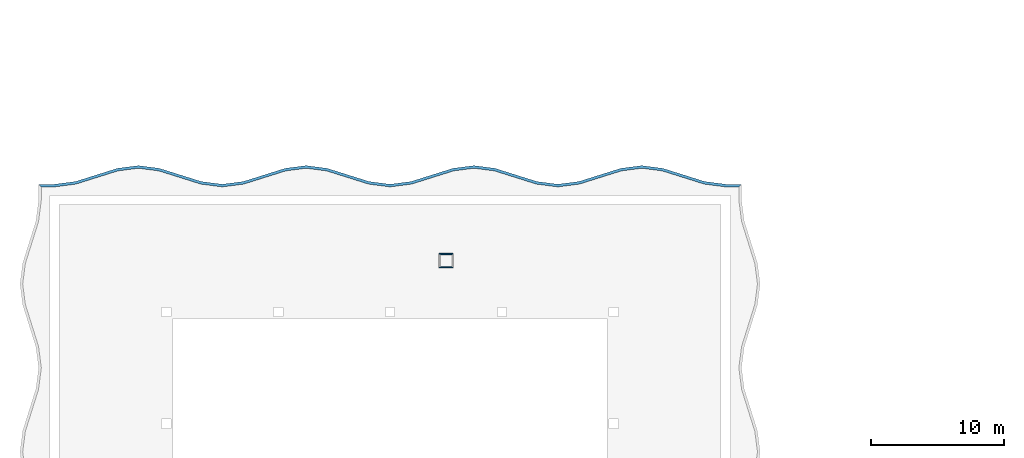
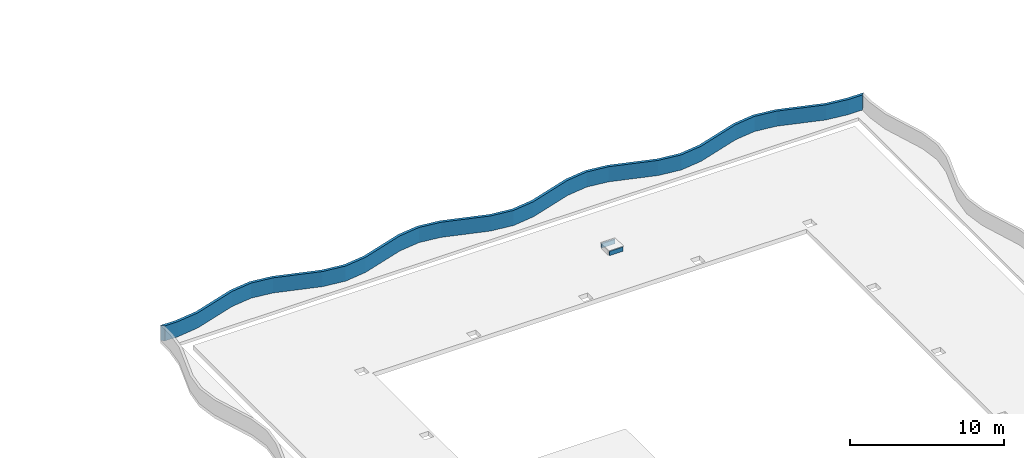
# One storey, part 20 of 111: 3 walls.
"""IFC4 building model written with IfcOpenShell, lengths in metres."""

import ifcopenshell
import ifcopenshell.guid

model = None  # the IFC model being written
_history = None  # IfcOwnerHistory: only IFC2X3 demands one
_inside = {}  # id of a spatial element -> (the spatial element, [elements in it])
_under = {}  # id of a project, library or spatial element -> (it, [spatial elements below it])
_declared = {}  # id of a project -> (the project, [libraries it declares])
_typed = {}  # id of a type object -> (the type object, [elements of that type])
_made_of = {}  # id of a material, layer set ... -> (it, [elements and type objects made of it])


def new_model(schema):
    """Start an empty IFC model of exactly this schema.

    Asked for "IFC4X3", IfcOpenShell would pick the latest addendum, in which some entities
    have other attributes; the version numbers below select the first issue.
    IFC2X3 requires an IfcOwnerHistory on every rooted entity: one is made here for all.
    """
    global model, _history
    if schema == "IFC4X3":
        model = ifcopenshell.file(schema_version=(4, 3, 0, 0))
    else:
        model = ifcopenshell.file(schema=schema)
    _inside.clear()
    _under.clear()
    _declared.clear()
    _typed.clear()
    _made_of.clear()
    _history = None
    if model.schema == "IFC2X3":
        org = make("IfcOrganization", Name="unknown")
        user = make(
            "IfcPersonAndOrganization",
            ThePerson=make("IfcPerson", FamilyName="unknown"),
            TheOrganization=org,
        )
        app = make(
            "IfcApplication",
            ApplicationDeveloper=org,
            Version="unknown",
            ApplicationFullName="unknown",
            ApplicationIdentifier="unknown",
        )
        _history = make(
            "IfcOwnerHistory",
            OwningUser=user,
            OwningApplication=app,
            ChangeAction="ADDED",
            CreationDate=0,
        )
    return model


def make(cls, **values):
    """One entity of the class cls with the attributes given. An attribute that is None is left unset."""
    return model.create_entity(
        cls, **{name: value for name, value in values.items() if value is not None}
    )


def rooted(cls, **values):
    """An entity with a GlobalId (a new one), such as an element, a storey or a relation."""
    return make(cls, GlobalId=ifcopenshell.guid.new(), OwnerHistory=_history, **values)


def si_unit(unit_type, name, prefix=None):
    """IfcSIUnit, for example si_unit("LENGTHUNIT", "METRE", prefix="MILLI")."""
    return make("IfcSIUnit", UnitType=unit_type, Prefix=prefix, Name=name)


def assignment(units):
    """IfcUnitAssignment: the units of a project."""
    return None if units is None else make("IfcUnitAssignment", Units=units)


def point(xyz):
    """IfcCartesianPoint."""
    return None if xyz is None else make("IfcCartesianPoint", Coordinates=xyz)


def direction(xyz):
    """IfcDirection."""
    return None if xyz is None else make("IfcDirection", DirectionRatios=xyz)


def frame(location, z_axis=None, x_axis=None):
    """IfcAxis2Placement3D, a coordinate frame: its origin and axes. An axis left out is left unset."""
    return make(
        "IfcAxis2Placement3D",
        Location=point(location),
        Axis=direction(z_axis),
        RefDirection=direction(x_axis),
    )


def frame_2d(location, x_axis=None):
    """IfcAxis2Placement2D, a coordinate frame in the plane: its origin and x axis."""
    return make(
        "IfcAxis2Placement2D", Location=point(location), RefDirection=direction(x_axis)
    )


def origin():
    """The frame at (0, 0, 0) with its axes left unset."""
    return frame((0.0, 0.0, 0.0))


def place(relative_to, where):
    """IfcLocalPlacement: puts the frame where relative to a parent placement (None: the world)."""
    return make(
        "IfcLocalPlacement", PlacementRelTo=relative_to, RelativePlacement=where
    )


def context(
    kind, dimensions, precision=None, world=None, true_north=None, identifier=None
):
    """IfcGeometricRepresentationContext, for example the 3D "Model" context."""
    return make(
        "IfcGeometricRepresentationContext",
        ContextIdentifier=identifier,
        ContextType=kind,
        CoordinateSpaceDimension=dimensions,
        Precision=precision,
        WorldCoordinateSystem=world,
        TrueNorth=true_north,
    )


def subcontext(parent, identifier, kind, view, scale=None):
    """IfcGeometricRepresentationSubContext, for example "Body" below "Model"."""
    return make(
        "IfcGeometricRepresentationSubContext",
        ContextIdentifier=identifier,
        ContextType=kind,
        ParentContext=parent,
        TargetScale=scale,
        TargetView=view,
    )


def project(units=None, contexts=None):
    """IfcProject with its units and contexts."""
    return rooted(
        "IfcProject",
        Name="project",
        RepresentationContexts=contexts,
        UnitsInContext=assignment(units),
    )


def spatial(cls, under=None, at=None, **own):
    """A site, building, storey or space (cls), placed at a placement, below another one or the project."""
    s = rooted(cls, ObjectPlacement=at, **own)
    if under is not None:
        _under.setdefault(under.id(), (under, []))[1].append(s)
    return s


def polyline(points):
    """IfcPolyline through the points."""
    return make("IfcPolyline", Points=[point(p) for p in points])


def profile(cls, at=None, kind="AREA", **sizes):
    """A parametric profile (cls). Its sizes go by their IFC names, for example OverallWidth=200.0."""
    return make(cls, ProfileType=kind, Position=at, **sizes)


def rectangle(**sizes):
    """IfcRectangleProfileDef."""
    return profile("IfcRectangleProfileDef", **sizes)


def outline(outer, holes=None, kind="AREA"):
    """IfcArbitraryClosedProfileDef: a profile drawn as a closed curve; with holes, ...WithVoids."""
    if holes is None:
        return make("IfcArbitraryClosedProfileDef", ProfileType=kind, OuterCurve=outer)
    return make(
        "IfcArbitraryProfileDefWithVoids",
        ProfileType=kind,
        OuterCurve=outer,
        InnerCurves=holes,
    )


def extrude(swept, where, along, depth):
    """IfcExtrudedAreaSolid: the profile swept, set in the frame where, extruded along a direction by depth."""
    return make(
        "IfcExtrudedAreaSolid",
        SweptArea=swept,
        Position=where,
        ExtrudedDirection=direction(along),
        Depth=depth,
    )


def shape(context_of_items, identifier, shape_type, items):
    """IfcShapeRepresentation: the items that make up one representation, for example the "Body"."""
    return make(
        "IfcShapeRepresentation",
        ContextOfItems=context_of_items,
        RepresentationIdentifier=identifier,
        RepresentationType=shape_type,
        Items=items,
    )


def material(Name=None, Category=None):
    """IfcMaterial."""
    return make("IfcMaterial", Name=Name, Category=Category)


def layer(
    of_material, thickness, ventilated=None, Name=None, Category=None, Priority=None
):
    """IfcMaterialLayer: one layer of a wall or slab, of a material (None: an air gap)."""
    return make(
        "IfcMaterialLayer",
        Material=of_material,
        LayerThickness=thickness,
        IsVentilated=ventilated,
        Name=Name,
        Category=Category,
        Priority=Priority,
    )


def layer_set(layers, Name=None):
    """IfcMaterialLayerSet."""
    return make("IfcMaterialLayerSet", MaterialLayers=layers, LayerSetName=Name)


def made_of(thing, what):
    """Note that an element or type object is made of a material, layer set ...; save() writes the relation."""
    if what is not None:
        _made_of.setdefault(what.id(), (what, []))[1].append(thing)
    return thing


def type_object(cls, material=None, **own):
    """A type object (cls), such as IfcWallType, which elements share."""
    return made_of(rooted(cls, **own), material)


def element(
    cls,
    number,
    at=None,
    inside=None,
    cuts=None,
    type_object=None,
    material=None,
    context=None,
    identifier="Body",
    shape_type=None,
    held_by="IfcProductDefinitionShape",
    body=None,
    shapes=None,
    **own,
):
    """One element of the class cls, such as IfcWall. Its Tag is "e" and its number.

    at: its placement. inside: the storey or other place that contains it. cuts: it is an
    opening in that element (IfcRelVoidsElement). A single representation is given by context,
    identifier, shape_type and body (its items); several are given by shapes. held_by: the class
    of the entity that holds the representations. save() writes the other relations.
    """
    e = rooted(cls, Tag="e%d" % number, ObjectPlacement=at, **own)
    if body is not None:
        shapes = [shape(context, identifier, shape_type, body)]
    if shapes is not None:
        e.Representation = make(held_by, Representations=shapes)
    if inside is not None:
        _inside.setdefault(inside.id(), (inside, []))[1].append(e)
    if cuts is not None:
        rooted(
            "IfcRelVoidsElement", RelatingBuildingElement=cuts, RelatedOpeningElement=e
        )
    if type_object is not None:
        _typed.setdefault(type_object.id(), (type_object, []))[1].append(e)
    return made_of(e, material)


def aggregate(whole, parts):
    """IfcRelAggregates: a whole, such as a stair, and the parts it consists of."""
    return rooted("IfcRelAggregates", RelatingObject=whole, RelatedObjects=parts)


def save(model, path):
    """Write the relations noted so far, then the file.

    IfcRelAggregates (storeys below a building ...), IfcRelContainedInSpatialStructure (elements
    in a storey), IfcRelDefinesByType, IfcRelAssociatesMaterial and IfcRelDeclares: one each for
    every whole, place, type object, material and project.
    """
    for whole, parts in _under.values():
        aggregate(whole, parts)
    for where, things in _inside.values():
        rooted(
            "IfcRelContainedInSpatialStructure",
            RelatedElements=things,
            RelatingStructure=where,
        )
    for kind, things in _typed.values():
        rooted("IfcRelDefinesByType", RelatedObjects=things, RelatingType=kind)
    for what, things in _made_of.values():
        rooted("IfcRelAssociatesMaterial", RelatedObjects=things, RelatingMaterial=what)
    for by, libraries in _declared.values():
        rooted("IfcRelDeclares", RelatingContext=by, RelatedDefinitions=libraries)
    model.write(path)


model = new_model("IFC4")

# Units and contexts
model_context = context("Model", 3, precision=1e-05, world=origin(), true_north=direction((0.0, 1.0)))
body_context = subcontext(model_context, "Body", "Model", "MODEL_VIEW")
ifc_project = project(units=[si_unit("LENGTHUNIT", "METRE"), si_unit("AREAUNIT", "SQUARE_METRE"), si_unit("VOLUMEUNIT", "CUBIC_METRE"), si_unit("PLANEANGLEUNIT", "RADIAN"), si_unit("MASSUNIT", "GRAM", prefix="KILO")], contexts=[model_context])

# Site, building, storey
site_placement = place(None, origin())
site = spatial("IfcSite", under=ifc_project, at=site_placement, CompositionType="ELEMENT")
building_placement = place(site_placement, origin())
building = spatial("IfcBuilding", under=site, at=building_placement, Name="Rain Tree Exposition and Congress Centre", CompositionType="ELEMENT")
storey_placement = place(building_placement, frame((0.0, 0.0, 19.5)))
storey = spatial("IfcBuildingStorey", under=building, at=storey_placement, Name="RF", CompositionType="ELEMENT", Elevation=19.5)

# Walls
ifc_material_1 = material(Name="Dense blockwork", Category="masonry")
ifc_layer_1 = layer(ifc_material_1, 0.10009765625)
ifc_layer_set_1 = layer_set([ifc_layer_1], Name="Dense blockwork")
wall_type_1 = type_object("IfcWallType", Name="Roof access kerb 100", PredefinedType="SOLIDWALL", material=ifc_layer_set_1)
for number, where, z_axis, x_axis, name in (
    (1, (28.89990234375, 45.35009765625, 0.0), (0.0, 0.0, 1.0), (1.0, 0.0, 0.0), "Roof access kerb south"),
    (2, (28.89990234375, 46.35009765625, 0.0), (0.0, 0.0, 1.0), (1.0, 0.0, 0.0), "Roof access kerb north"),
):
    element("IfcWall", number, at=place(storey_placement, frame(where, z_axis=z_axis, x_axis=x_axis)), inside=storey, type_object=wall_type_1, Name=name, PredefinedType="SOLIDWALL", context=body_context, shape_type="SweptSolid", body=[
        extrude(rectangle(XDim=1.0, YDim=0.10009765625, at=frame_2d((0.5, 0.0))), origin(), (0.0, 0.0, 1.0), 0.35009765625),
    ])
ifc_material_2 = material(Name="Concrete C40/50", Category="concrete")
ifc_layer_2 = layer(ifc_material_2, 0.199951171875)
ifc_layer_set_2 = layer_set([ifc_layer_2], Name="Concrete C40/50")
wall_type_2 = type_object("IfcWallType", Name="Wave parapet band 200", PredefinedType="PARAPET", material=ifc_layer_set_2)
wall_placement = place(storey_placement, origin())
element("IfcWall", 3, at=wall_placement, inside=storey, type_object=wall_type_2, Name="wing/band/RF/03", PredefinedType="PARAPET", context=body_context, shape_type="SweptSolid", body=[
    extrude(outline(polyline([(0.0, 51.587646484375), (-1.1875, 51.587646484375), (-0.987548828125, 51.3876953125), (0.012939453125, 51.3876953125), (1.6181640625, 51.596435546875), (3.2099609375, 52.0966796875), (4.768310546875, 52.58642578125), (6.300048828125, 52.785888671875), (7.831787109375, 52.58642578125), (9.389892578125, 52.0966796875), (10.981689453125, 51.596435546875), (12.60009765625, 51.385986328125), (14.21826171875, 51.596435546875), (15.81005859375, 52.0966796875), (17.3681640625, 52.58642578125), (18.89990234375, 52.785888671875), (20.431884765625, 52.58642578125), (21.989990234375, 52.0966796875), (23.581787109375, 51.596435546875), (25.199951171875, 51.385986328125), (26.818115234375, 51.596435546875), (28.409912109375, 52.0966796875), (29.96826171875, 52.58642578125), (31.5, 52.785888671875), (33.03173828125, 52.58642578125), (34.590087890625, 52.0966796875), (36.181884765625, 51.596435546875), (37.800048828125, 51.385986328125), (39.418212890625, 51.596435546875), (41.010009765625, 52.0966796875), (42.568115234375, 52.58642578125), (44.10009765625, 52.785888671875), (45.6318359375, 52.58642578125), (47.18994140625, 52.0966796875), (48.78173828125, 51.596435546875), (50.386962890625, 51.3876953125), (51.3876953125, 51.3876953125), (51.587646484375, 51.587646484375), (50.39990234375, 51.587646484375), (48.824951171875, 51.79248046875), (47.25, 52.28759765625), (45.675048828125, 52.78271484375), (44.10009765625, 52.987548828125), (42.52490234375, 52.78271484375), (40.949951171875, 52.28759765625), (39.375, 51.79248046875), (37.800048828125, 51.587646484375), (36.22509765625, 51.79248046875), (34.64990234375, 52.28759765625), (33.074951171875, 52.78271484375), (31.5, 52.987548828125), (29.925048828125, 52.78271484375), (28.35009765625, 52.28759765625), (26.77490234375, 51.79248046875), (25.199951171875, 51.587646484375), (23.625, 51.79248046875), (22.050048828125, 52.28759765625), (20.47509765625, 52.78271484375), (18.89990234375, 52.987548828125), (17.324951171875, 52.78271484375), (15.75, 52.28759765625), (14.175048828125, 51.79248046875), (12.60009765625, 51.587646484375), (11.02490234375, 51.79248046875), (9.449951171875, 52.28759765625), (7.875, 52.78271484375), (6.300048828125, 52.987548828125), (4.72509765625, 52.78271484375), (3.14990234375, 52.28759765625), (1.574951171875, 51.79248046875), (0.0, 51.587646484375)])), origin(), (0.0, 0.0, 1.0), 1.199951171875),
])

save(model, "model.ifc")
